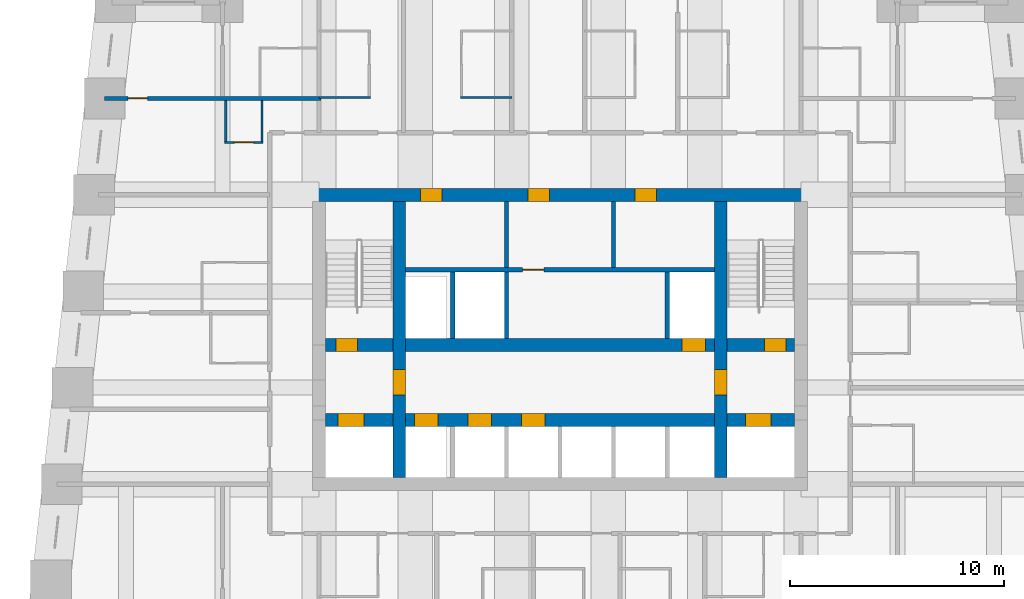
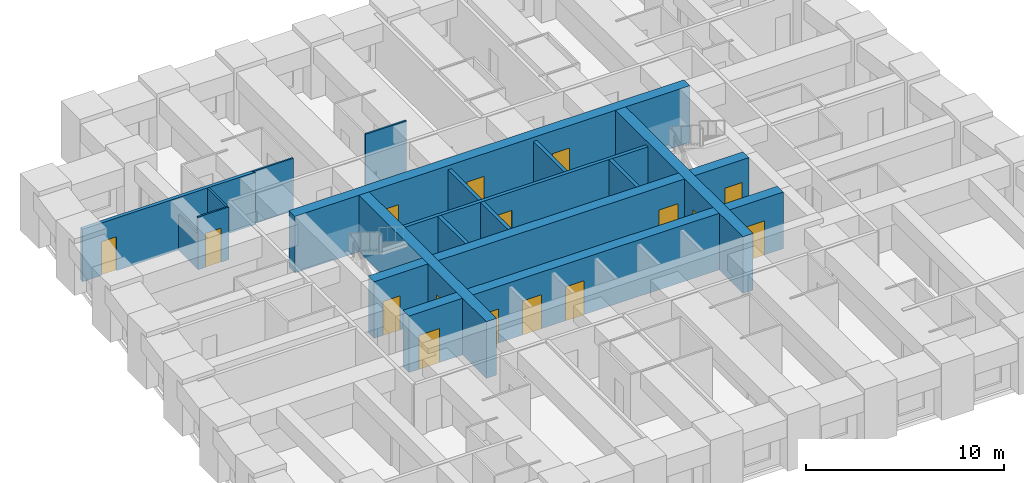
# One storey, part 4 of 8: 17 walls, 16 doors, 16 openings.
"""IFC4 building model written with IfcOpenShell, lengths in metres."""

from ifc_helpers import new_model, si_unit, direction, frame, frame_2d, origin, place, context, subcontext, project, spatial, rectangle, extrude, material, layer, layer_set, type_object, element, fill, save


model = new_model("IFC4")

# Units and contexts
model_context = context("Model", 3, precision=1e-05, world=origin(), true_north=direction((0.0, 1.0)))
body_context = subcontext(model_context, "Body", "Model", "MODEL_VIEW")
ifc_project = project(units=[si_unit("LENGTHUNIT", "METRE"), si_unit("AREAUNIT", "SQUARE_METRE"), si_unit("VOLUMEUNIT", "CUBIC_METRE"), si_unit("PLANEANGLEUNIT", "RADIAN"), si_unit("MASSUNIT", "GRAM", prefix="KILO")], contexts=[model_context])

# Site, building, storey
site_placement = place(None, origin())
site = spatial("IfcSite", under=ifc_project, at=site_placement, CompositionType="ELEMENT")
building_placement = place(site_placement, origin())
building = spatial("IfcBuilding", under=site, at=building_placement, Name="Kilele Tower Hotel", CompositionType="ELEMENT")
storey_placement = place(building_placement, frame((0.0, 0.0, 82.199951171875)))
storey = spatial("IfcBuildingStorey", under=building, at=storey_placement, Name="L20", CompositionType="ELEMENT", Elevation=82.199951171875)

# Walls
ifc_material_1 = material(Name="Moisture-resistant board")
ifc_layer_1 = layer(ifc_material_1, 0.10009765625)
ifc_layer_set_1 = layer_set([ifc_layer_1], Name="Moisture-resistant board")
wall_type_1 = type_object("IfcWallType", Name="Bathroom partition 100", PredefinedType="PLUMBINGWALL", material=ifc_layer_set_1)
for number, where, z_axis, x_axis, name in (
    (1, (13.5, 31.550048828125, 0.0), (0.0, 0.0, 1.0), (1.0, 0.0, 0.0), "Bathroom partition 100 L20"),
    (2, (20.10009765625, 31.550048828125, 0.0), (0.0, 0.0, 1.0), (1.0, 0.0, 0.0), "Bathroom partition 100 L20"),
):
    element("IfcWall", number, at=place(storey_placement, frame(where, z_axis=z_axis, x_axis=x_axis)), inside=storey, type_object=wall_type_1, Name=name, PredefinedType="PLUMBINGWALL", context=body_context, shape_type="SweptSolid", body=[
        extrude(rectangle(XDim=2.39990234375, YDim=0.10009765625, at=frame_2d((1.199951171875, 0.0))), origin(), (0.0, 0.0, 1.0), 3.25),
    ])
wall_1_placement = place(storey_placement, frame((9.14990234375, 31.39990234375, 0.0), z_axis=(0.0, 0.0, 1.0), x_axis=(0.0, -1.0, 0.0)))
element("IfcWall", 3, at=wall_1_placement, inside=storey, type_object=wall_type_1, Name="Bathroom partition 100 L20", PredefinedType="PLUMBINGWALL", context=body_context, shape_type="SweptSolid", body=[
    extrude(rectangle(XDim=2.0, YDim=0.10009765625, at=frame_2d((1.0, 0.0))), origin(), (0.0, 0.0, 1.0), 2.199951171875),
])
wall_2_placement = place(storey_placement, frame((10.85009765625, 31.39990234375, 0.0), z_axis=(0.0, 0.0, 1.0), x_axis=(0.0, -1.0, 0.0)))
element("IfcWall", 4, at=wall_2_placement, inside=storey, type_object=wall_type_1, Name="Bathroom partition 100 L20", PredefinedType="PLUMBINGWALL", context=body_context, shape_type="SweptSolid", body=[
    extrude(rectangle(XDim=2.0, YDim=0.10009765625, at=frame_2d((1.0, 0.0))), origin(), (0.0, 0.0, 1.0), 3.25),
])

# Wall, opening, door
wall_3_placement = place(storey_placement, frame((10.89990234375, 29.449951171875, 0.0), z_axis=(0.0, 0.0, 1.0), x_axis=(-1.0, 0.0, 0.0)))
wall_3 = element("IfcWall", 5, at=wall_3_placement, inside=storey, type_object=wall_type_1, Name="Bathroom partition 100 L20", PredefinedType="PLUMBINGWALL", context=body_context, shape_type="SweptSolid", body=[
    extrude(rectangle(XDim=1.7998046875, YDim=0.10009765625, at=frame_2d((0.89990234375, 0.0))), origin(), (0.0, 0.0, 1.0), 3.25),
])
opening_1_placement = place(wall_3_placement, frame((0.449951171875, 0.0, 0.0)))
opening_1 = element("IfcOpeningElement", 6, at=opening_1_placement, cuts=wall_3, Name="Opening D2A", PredefinedType="OPENING", context=body_context, shape_type="SweptSolid", body=[
    extrude(rectangle(XDim=0.89990234375, YDim=2.10009765625, at=frame_2d((0.449951171875, 1.050048828125))), frame((0.0, 0.06005859375, 0.0), z_axis=(0.0, -1.0, 0.0), x_axis=(1.0, 0.0, 0.0)), (0.0, 0.0, 1.0), 0.1201171875),
])
ifc_material_2 = material(Name="Timber door leaf in hardwood frame", Category="wood")
door_type_1 = type_object("IfcDoorType", Name="Bathroom door 900", OperationType="SINGLE_SWING_LEFT", PredefinedType="DOOR", material=ifc_material_2)
door_1_placement = place(opening_1_placement, origin())
door_1 = element("IfcDoor", 7, at=door_1_placement, inside=storey, type_object=door_type_1, Name="Bathroom door 2026P", OperationType="SINGLE_SWING_LEFT", OverallHeight=2.10009765625, OverallWidth=0.89990234375, PredefinedType="DOOR", context=body_context, shape_type="SweptSolid", body=[
    extrude(rectangle(XDim=0.89990234375, YDim=2.10009765625, at=frame_2d((0.449951171875, 1.050048828125))), frame((0.0, 0.02490234375, 0.0), z_axis=(0.0, -1.0, 0.0), x_axis=(1.0, 0.0, 0.0)), (0.0, 0.0, 1.0), 0.050048828125),
])
fill(opening_1, door_1)

# Wall, openings, doors
ifc_material_3 = material(Name="Concrete C60/75", Category="concrete")
ifc_layer_2 = layer(ifc_material_3, 0.60009765625)
ifc_layer_set_2 = layer_set([ifc_layer_2], Name="Concrete C60/75")
wall_type_2 = type_object("IfcWallType", Name="Core wall 600 C60/75", PredefinedType="SHEAR", material=ifc_layer_set_2)
wall_4_placement = place(storey_placement, frame((36.300048828125, 27.0, 0.0), z_axis=(0.0, 0.0, 1.0), x_axis=(-1.0, 0.0, 0.0)))
wall_4 = element("IfcWall", 8, at=wall_4_placement, inside=storey, type_object=wall_type_2, Name="Core wall N L20", PredefinedType="SHEAR", context=body_context, shape_type="SweptSolid", body=[
    extrude(rectangle(XDim=23.10009765625, YDim=0.60009765625, at=frame_2d((11.550048828125, 0.0))), origin(), (0.0, 0.0, 1.0), 3.5),
])
opening_2_placement = place(wall_4_placement, frame((17.050048828125, 0.0, 0.0)))
opening_2 = element("IfcOpeningElement", 9, at=opening_2_placement, cuts=wall_4, Name="Opening D6", PredefinedType="OPENING", context=body_context, shape_type="SweptSolid", body=[
    extrude(rectangle(XDim=1.0, YDim=2.10009765625, at=frame_2d((0.5, 1.050048828125))), frame((0.0, 0.31005859375, 0.0), z_axis=(0.0, -1.0, 0.0), x_axis=(1.0, 0.0, 0.0)), (0.0, 0.0, 1.0), 0.6201171875),
])
opening_3_placement = place(wall_4_placement, frame((12.050048828125, 0.0, 0.0)))
opening_3 = element("IfcOpeningElement", 10, at=opening_3_placement, cuts=wall_4, Name="Opening D6", PredefinedType="OPENING", context=body_context, shape_type="SweptSolid", body=[
    extrude(rectangle(XDim=1.0, YDim=2.10009765625, at=frame_2d((0.5, 1.050048828125))), frame((0.0, 0.31005859375, 0.0), z_axis=(0.0, -1.0, 0.0), x_axis=(1.0, 0.0, 0.0)), (0.0, 0.0, 1.0), 0.6201171875),
])
opening_4_placement = place(wall_4_placement, frame((7.050048828125, 0.0, 0.0)))
opening_4 = element("IfcOpeningElement", 11, at=opening_4_placement, cuts=wall_4, Name="Opening D6", PredefinedType="OPENING", context=body_context, shape_type="SweptSolid", body=[
    extrude(rectangle(XDim=1.0, YDim=2.10009765625, at=frame_2d((0.5, 1.050048828125))), frame((0.0, 0.31005859375, 0.0), z_axis=(0.0, -1.0, 0.0), x_axis=(1.0, 0.0, 0.0)), (0.0, 0.0, 1.0), 0.6201171875),
])
ifc_material_4 = material(Name="Timber door leaf in hardwood frame", Category="wood")
door_type_2 = type_object("IfcDoorType", Name="Riser door 1000", OperationType="SINGLE_SWING_LEFT", PredefinedType="DOOR", material=ifc_material_4)
door_2_placement = place(opening_2_placement, origin())
door_2 = element("IfcDoor", 12, at=door_2_placement, inside=storey, type_object=door_type_2, Name="Service riser door L20", OperationType="SINGLE_SWING_RIGHT", OverallHeight=2.10009765625, OverallWidth=1.0, PredefinedType="DOOR", context=body_context, shape_type="SweptSolid", body=[
    extrude(rectangle(XDim=1.0, YDim=2.10009765625, at=frame_2d((0.5, 1.050048828125))), frame((0.0, 0.2998046875, 0.0), z_axis=(0.0, -1.0, 0.0), x_axis=(1.0, 0.0, 0.0)), (0.0, 0.0, 1.0), 0.599609375),
])
fill(opening_2, door_2)
door_3_placement = place(opening_3_placement, origin())
door_3 = element("IfcDoor", 13, at=door_3_placement, inside=storey, type_object=door_type_2, Name="Linen store door L20", OperationType="SINGLE_SWING_RIGHT", OverallHeight=2.10009765625, OverallWidth=1.0, PredefinedType="DOOR", context=body_context, shape_type="SweptSolid", body=[
    extrude(rectangle(XDim=1.0, YDim=2.10009765625, at=frame_2d((0.5, 1.050048828125))), frame((0.0, 0.2998046875, 0.0), z_axis=(0.0, -1.0, 0.0), x_axis=(1.0, 0.0, 0.0)), (0.0, 0.0, 1.0), 0.599609375),
])
fill(opening_3, door_3)
door_4_placement = place(opening_4_placement, origin())
door_4 = element("IfcDoor", 14, at=door_4_placement, inside=storey, type_object=door_type_2, Name="Electrical riser door L20", OperationType="SINGLE_SWING_RIGHT", OverallHeight=2.10009765625, OverallWidth=1.0, PredefinedType="DOOR", context=body_context, shape_type="SweptSolid", body=[
    extrude(rectangle(XDim=1.0, YDim=2.10009765625, at=frame_2d((0.5, 1.050048828125))), frame((0.0, 0.2998046875, 0.0), z_axis=(0.0, -1.0, 0.0), x_axis=(1.0, 0.0, 0.0)), (0.0, 0.0, 1.0), 0.599609375),
])
fill(opening_4, door_4)

# Wall, opening, door
wall_5_placement = place(storey_placement, frame((17.25, 13.800048828125, 0.0), z_axis=(0.0, 0.0, 1.0), x_axis=(0.0, 1.0, 0.0)))
wall_5 = element("IfcWall", 15, at=wall_5_placement, inside=storey, type_object=wall_type_2, Name="Core wall IW L20", PredefinedType="SHEAR", context=body_context, shape_type="SweptSolid", body=[
    extrude(rectangle(XDim=12.89990234375, YDim=0.60009765625, at=frame_2d((6.449951171875, 0.0))), origin(), (0.0, 0.0, 1.0), 3.5),
])
opening_5_placement = place(wall_5_placement, frame((3.85009765625, 0.0, 0.0)))
opening_5 = element("IfcOpeningElement", 16, at=opening_5_placement, cuts=wall_5, Name="Opening D4", PredefinedType="OPENING", context=body_context, shape_type="SweptSolid", body=[
    extrude(rectangle(XDim=1.199951171875, YDim=2.10009765625, at=frame_2d((0.60009765625, 1.050048828125))), frame((0.0, 0.31005859375, 0.0), z_axis=(0.0, -1.0, 0.0), x_axis=(1.0, 0.0, 0.0)), (0.0, 0.0, 1.0), 0.6201171875),
])
ifc_material_5 = material(Name="Timber door leaf in hardwood frame", Category="wood")
door_type_3 = type_object("IfcDoorType", Name="Firefighting lobby door 1200", OperationType="SINGLE_SWING_LEFT", PredefinedType="DOOR", material=ifc_material_5)
door_5_placement = place(opening_5_placement, origin())
door_5 = element("IfcDoor", 17, at=door_5_placement, inside=storey, type_object=door_type_3, Name="Lobby door L20", OperationType="SINGLE_SWING_LEFT", OverallHeight=2.10009765625, OverallWidth=1.199951171875, PredefinedType="DOOR", context=body_context, shape_type="SweptSolid", body=[
    extrude(rectangle(XDim=1.199951171875, YDim=2.10009765625, at=frame_2d((0.60009765625, 1.050048828125))), frame((0.0, 0.2998046875, 0.0), z_axis=(0.0, -1.0, 0.0), x_axis=(1.0, 0.0, 0.0)), (0.0, 0.0, 1.0), 0.599609375),
])
fill(opening_5, door_5)

wall_6_placement = place(storey_placement, frame((32.25, 13.800048828125, 0.0), z_axis=(0.0, 0.0, 1.0), x_axis=(0.0, 1.0, 0.0)))
wall_6 = element("IfcWall", 18, at=wall_6_placement, inside=storey, type_object=wall_type_2, Name="Core wall IE L20", PredefinedType="SHEAR", context=body_context, shape_type="SweptSolid", body=[
    extrude(rectangle(XDim=12.89990234375, YDim=0.60009765625, at=frame_2d((6.449951171875, 0.0))), origin(), (0.0, 0.0, 1.0), 3.5),
])
opening_6_placement = place(wall_6_placement, frame((5.050048828125, 0.0, 0.0), z_axis=(0.0, 0.0, 1.0), x_axis=(-1.0, 0.0, 0.0)))
opening_6 = element("IfcOpeningElement", 19, at=opening_6_placement, cuts=wall_6, Name="Opening D4", PredefinedType="OPENING", context=body_context, shape_type="SweptSolid", body=[
    extrude(rectangle(XDim=1.199951171875, YDim=2.10009765625, at=frame_2d((0.60009765625, 1.050048828125))), frame((0.0, 0.31005859375, 0.0), z_axis=(0.0, -1.0, 0.0), x_axis=(1.0, 0.0, 0.0)), (0.0, 0.0, 1.0), 0.6201171875),
])
door_6_placement = place(opening_6_placement, origin())
door_6 = element("IfcDoor", 20, at=door_6_placement, inside=storey, type_object=door_type_3, Name="Lobby door L20", OperationType="SINGLE_SWING_RIGHT", OverallHeight=2.10009765625, OverallWidth=1.199951171875, PredefinedType="DOOR", context=body_context, shape_type="SweptSolid", body=[
    extrude(rectangle(XDim=1.199951171875, YDim=2.10009765625, at=frame_2d((0.60009765625, 1.050048828125))), frame((0.0, 0.2998046875, 0.0), z_axis=(0.0, -1.0, 0.0), x_axis=(1.0, 0.0, 0.0)), (0.0, 0.0, 1.0), 0.599609375),
])
fill(opening_6, door_6)

# Wall, openings, doors
wall_7_placement = place(storey_placement, frame((13.800048828125, 16.5, 0.0), z_axis=(0.0, 0.0, 1.0), x_axis=(1.0, 0.0, 0.0)))
wall_7 = element("IfcWall", 21, at=wall_7_placement, inside=storey, type_object=wall_type_2, Name="Core wall LS L20", PredefinedType="SHEAR", context=body_context, shape_type="SweptSolid", body=[
    extrude(rectangle(XDim=21.89990234375, YDim=0.60009765625, at=frame_2d((10.949951171875, 0.0))), origin(), (0.0, 0.0, 1.0), 3.5),
])
opening_7_placement = place(wall_7_placement, frame((4.14990234375, 0.0, 0.0)))
opening_7 = element("IfcOpeningElement", 22, at=opening_7_placement, cuts=wall_7, Name="Opening LD1", PredefinedType="OPENING", context=body_context, shape_type="SweptSolid", body=[
    extrude(rectangle(XDim=1.10009765625, YDim=2.10009765625, at=frame_2d((0.550048828125, 1.050048828125))), frame((0.0, 0.31005859375, 0.0), z_axis=(0.0, -1.0, 0.0), x_axis=(1.0, 0.0, 0.0)), (0.0, 0.0, 1.0), 0.6201171875),
])
opening_8_placement = place(wall_7_placement, frame((6.64990234375, 0.0, 0.0)))
opening_8 = element("IfcOpeningElement", 23, at=opening_8_placement, cuts=wall_7, Name="Opening LD1", PredefinedType="OPENING", context=body_context, shape_type="SweptSolid", body=[
    extrude(rectangle(XDim=1.10009765625, YDim=2.10009765625, at=frame_2d((0.550048828125, 1.050048828125))), frame((0.0, 0.31005859375, 0.0), z_axis=(0.0, -1.0, 0.0), x_axis=(1.0, 0.0, 0.0)), (0.0, 0.0, 1.0), 0.6201171875),
])
opening_9_placement = place(wall_7_placement, frame((9.14990234375, 0.0, 0.0)))
opening_9 = element("IfcOpeningElement", 24, at=opening_9_placement, cuts=wall_7, Name="Opening LD1", PredefinedType="OPENING", context=body_context, shape_type="SweptSolid", body=[
    extrude(rectangle(XDim=1.10009765625, YDim=2.10009765625, at=frame_2d((0.550048828125, 1.050048828125))), frame((0.0, 0.31005859375, 0.0), z_axis=(0.0, -1.0, 0.0), x_axis=(1.0, 0.0, 0.0)), (0.0, 0.0, 1.0), 0.6201171875),
])
opening_10_placement = place(wall_7_placement, frame((0.60009765625, 0.0, 0.0)))
opening_10 = element("IfcOpeningElement", 25, at=opening_10_placement, cuts=wall_7, Name="Opening LD2", PredefinedType="OPENING", context=body_context, shape_type="SweptSolid", body=[
    extrude(rectangle(XDim=1.199951171875, YDim=2.10009765625, at=frame_2d((0.60009765625, 1.050048828125))), frame((0.0, 0.31005859375, 0.0), z_axis=(0.0, -1.0, 0.0), x_axis=(1.0, 0.0, 0.0)), (0.0, 0.0, 1.0), 0.6201171875),
])
opening_11_placement = place(wall_7_placement, frame((19.60009765625, 0.0, 0.0)))
opening_11 = element("IfcOpeningElement", 26, at=opening_11_placement, cuts=wall_7, Name="Opening LD2", PredefinedType="OPENING", context=body_context, shape_type="SweptSolid", body=[
    extrude(rectangle(XDim=1.199951171875, YDim=2.10009765625, at=frame_2d((0.60009765625, 1.050048828125))), frame((0.0, 0.31005859375, 0.0), z_axis=(0.0, -1.0, 0.0), x_axis=(1.0, 0.0, 0.0)), (0.0, 0.0, 1.0), 0.6201171875),
])
ifc_material_6 = material(Name="Steel lift landing door", Category="steel")
door_type_4 = type_object("IfcDoorType", Name="Firefighting lift landing door 1200", OperationType="SLIDING_TO_LEFT", PredefinedType="DOOR", material=ifc_material_6)
door_7_placement = place(opening_10_placement, origin())
door_7 = element("IfcDoor", 27, at=door_7_placement, inside=storey, type_object=door_type_4, Name="Landing door FFW L20", OperationType="SLIDING_TO_LEFT", OverallHeight=2.10009765625, OverallWidth=1.199951171875, PredefinedType="DOOR", context=body_context, shape_type="SweptSolid", body=[
    extrude(rectangle(XDim=1.199951171875, YDim=2.10009765625, at=frame_2d((0.60009765625, 1.050048828125))), frame((0.0, 0.2998046875, 0.0), z_axis=(0.0, -1.0, 0.0), x_axis=(1.0, 0.0, 0.0)), (0.0, 0.0, 1.0), 0.599609375),
])
fill(opening_10, door_7)
door_8_placement = place(opening_11_placement, origin())
door_8 = element("IfcDoor", 28, at=door_8_placement, inside=storey, type_object=door_type_4, Name="Landing door FFE L20", OperationType="SLIDING_TO_LEFT", OverallHeight=2.10009765625, OverallWidth=1.199951171875, PredefinedType="DOOR", context=body_context, shape_type="SweptSolid", body=[
    extrude(rectangle(XDim=1.199951171875, YDim=2.10009765625, at=frame_2d((0.60009765625, 1.050048828125))), frame((0.0, 0.2998046875, 0.0), z_axis=(0.0, -1.0, 0.0), x_axis=(1.0, 0.0, 0.0)), (0.0, 0.0, 1.0), 0.599609375),
])
fill(opening_11, door_8)
ifc_material_7 = material(Name="Steel lift landing door", Category="steel")
door_type_5 = type_object("IfcDoorType", Name="Lift landing door 1100", OperationType="SLIDING_TO_LEFT", PredefinedType="DOOR", material=ifc_material_7)
door_9_placement = place(opening_7_placement, origin())
door_9 = element("IfcDoor", 29, at=door_9_placement, inside=storey, type_object=door_type_5, Name="Landing door L1 L20", OperationType="SLIDING_TO_LEFT", OverallHeight=2.10009765625, OverallWidth=1.10009765625, PredefinedType="DOOR", context=body_context, shape_type="SweptSolid", body=[
    extrude(rectangle(XDim=1.10009765625, YDim=2.10009765625, at=frame_2d((0.550048828125, 1.050048828125))), frame((0.0, 0.2998046875, 0.0), z_axis=(0.0, -1.0, 0.0), x_axis=(1.0, 0.0, 0.0)), (0.0, 0.0, 1.0), 0.599609375),
])
fill(opening_7, door_9)
door_10_placement = place(opening_8_placement, origin())
door_10 = element("IfcDoor", 30, at=door_10_placement, inside=storey, type_object=door_type_5, Name="Landing door L2 L20", OperationType="SLIDING_TO_LEFT", OverallHeight=2.10009765625, OverallWidth=1.10009765625, PredefinedType="DOOR", context=body_context, shape_type="SweptSolid", body=[
    extrude(rectangle(XDim=1.10009765625, YDim=2.10009765625, at=frame_2d((0.550048828125, 1.050048828125))), frame((0.0, 0.2998046875, 0.0), z_axis=(0.0, -1.0, 0.0), x_axis=(1.0, 0.0, 0.0)), (0.0, 0.0, 1.0), 0.599609375),
])
fill(opening_8, door_10)
door_11_placement = place(opening_9_placement, origin())
door_11 = element("IfcDoor", 31, at=door_11_placement, inside=storey, type_object=door_type_5, Name="Landing door L3 L20", OperationType="SLIDING_TO_LEFT", OverallHeight=2.10009765625, OverallWidth=1.10009765625, PredefinedType="DOOR", context=body_context, shape_type="SweptSolid", body=[
    extrude(rectangle(XDim=1.10009765625, YDim=2.10009765625, at=frame_2d((0.550048828125, 1.050048828125))), frame((0.0, 0.2998046875, 0.0), z_axis=(0.0, -1.0, 0.0), x_axis=(1.0, 0.0, 0.0)), (0.0, 0.0, 1.0), 0.599609375),
])
fill(opening_9, door_11)

wall_8_placement = place(storey_placement, frame((13.800048828125, 20.0, 0.0), z_axis=(0.0, 0.0, 1.0), x_axis=(1.0, 0.0, 0.0)))
wall_8 = element("IfcWall", 32, at=wall_8_placement, inside=storey, type_object=wall_type_2, Name="Core wall LN L20", PredefinedType="SHEAR", context=body_context, shape_type="SweptSolid", body=[
    extrude(rectangle(XDim=21.89990234375, YDim=0.60009765625, at=frame_2d((10.949951171875, 0.0))), origin(), (0.0, 0.0, 1.0), 3.5),
])
opening_12_placement = place(wall_8_placement, frame((0.5, 0.0, 0.0)))
opening_12 = element("IfcOpeningElement", 33, at=opening_12_placement, cuts=wall_8, Name="Opening D5", PredefinedType="OPENING", context=body_context, shape_type="SweptSolid", body=[
    extrude(rectangle(XDim=1.0, YDim=2.10009765625, at=frame_2d((0.5, 1.050048828125))), frame((0.0, 0.31005859375, 0.0), z_axis=(0.0, -1.0, 0.0), x_axis=(1.0, 0.0, 0.0)), (0.0, 0.0, 1.0), 0.6201171875),
])
opening_13_placement = place(wall_8_placement, frame((20.5, 0.0, 0.0)))
opening_13 = element("IfcOpeningElement", 34, at=opening_13_placement, cuts=wall_8, Name="Opening D5", PredefinedType="OPENING", context=body_context, shape_type="SweptSolid", body=[
    extrude(rectangle(XDim=1.0, YDim=2.10009765625, at=frame_2d((0.5, 1.050048828125))), frame((0.0, 0.31005859375, 0.0), z_axis=(0.0, -1.0, 0.0), x_axis=(1.0, 0.0, 0.0)), (0.0, 0.0, 1.0), 0.6201171875),
])
opening_14_placement = place(wall_8_placement, frame((16.64990234375, 0.0, 0.0)))
opening_14 = element("IfcOpeningElement", 35, at=opening_14_placement, cuts=wall_8, Name="Opening LD1", PredefinedType="OPENING", context=body_context, shape_type="SweptSolid", body=[
    extrude(rectangle(XDim=1.10009765625, YDim=2.10009765625, at=frame_2d((0.550048828125, 1.050048828125))), frame((0.0, 0.31005859375, 0.0), z_axis=(0.0, -1.0, 0.0), x_axis=(1.0, 0.0, 0.0)), (0.0, 0.0, 1.0), 0.6201171875),
])
door_12_placement = place(opening_14_placement, origin())
door_12 = element("IfcDoor", 36, at=door_12_placement, inside=storey, type_object=door_type_5, Name="Landing door G1 L20", OperationType="SLIDING_TO_LEFT", OverallHeight=2.10009765625, OverallWidth=1.10009765625, PredefinedType="DOOR", context=body_context, shape_type="SweptSolid", body=[
    extrude(rectangle(XDim=1.10009765625, YDim=2.10009765625, at=frame_2d((0.550048828125, 1.050048828125))), frame((0.0, 0.2998046875, 0.0), z_axis=(0.0, -1.0, 0.0), x_axis=(1.0, 0.0, 0.0)), (0.0, 0.0, 1.0), 0.599609375),
])
fill(opening_14, door_12)
ifc_material_8 = material(Name="Timber door leaf in hardwood frame", Category="wood")
door_type_6 = type_object("IfcDoorType", Name="Stair door 1000", OperationType="SINGLE_SWING_LEFT", PredefinedType="DOOR", material=ifc_material_8)
door_13_placement = place(opening_12_placement, origin())
door_13 = element("IfcDoor", 37, at=door_13_placement, inside=storey, type_object=door_type_6, Name="Stair 1 door L20", OperationType="SINGLE_SWING_LEFT", OverallHeight=2.10009765625, OverallWidth=1.0, PredefinedType="DOOR", context=body_context, shape_type="SweptSolid", body=[
    extrude(rectangle(XDim=1.0, YDim=2.10009765625, at=frame_2d((0.5, 1.050048828125))), frame((0.0, 0.2998046875, 0.0), z_axis=(0.0, -1.0, 0.0), x_axis=(1.0, 0.0, 0.0)), (0.0, 0.0, 1.0), 0.599609375),
])
fill(opening_12, door_13)
door_14_placement = place(opening_13_placement, origin())
door_14 = element("IfcDoor", 38, at=door_14_placement, inside=storey, type_object=door_type_6, Name="Stair 2 door L20", OperationType="SINGLE_SWING_RIGHT", OverallHeight=2.10009765625, OverallWidth=1.0, PredefinedType="DOOR", context=body_context, shape_type="SweptSolid", body=[
    extrude(rectangle(XDim=1.0, YDim=2.10009765625, at=frame_2d((0.5, 1.050048828125))), frame((0.0, 0.2998046875, 0.0), z_axis=(0.0, -1.0, 0.0), x_axis=(1.0, 0.0, 0.0)), (0.0, 0.0, 1.0), 0.599609375),
])
fill(opening_13, door_14)

# Wall, opening, door
ifc_material_9 = material(Name="Blockwork, plastered both sides", Category="masonry")
ifc_layer_3 = layer(ifc_material_9, 0.199951171875)
ifc_layer_set_3 = layer_set([ifc_layer_3], Name="Blockwork, plastered both sides")
wall_type_3 = type_object("IfcWallType", Name="Party wall 200", PredefinedType="PARTITIONING", material=ifc_layer_set_3)
wall_9_placement = place(storey_placement, frame((13.60009765625, 31.5, 0.0), z_axis=(0.0, 0.0, 1.0), x_axis=(-1.0, 0.0, 0.0)))
wall_9 = element("IfcWall", 39, at=wall_9_placement, inside=storey, type_object=wall_type_3, Name="Party wall 200 L20", PredefinedType="PARTITIONING", context=body_context, shape_type="SweptSolid", body=[
    extrude(rectangle(XDim=10.09912109375, YDim=0.199951171875, at=frame_2d((5.049560546875, 0.0))), origin(), (0.0, 0.0, 1.0), 3.25),
])
opening_15_placement = place(wall_9_placement, frame((8.9990234375, 0.0, 0.0), z_axis=(0.0, 0.0, 1.0), x_axis=(-1.0, 0.0, 0.0)))
opening_15 = element("IfcOpeningElement", 40, at=opening_15_placement, cuts=wall_9, Name="Opening D3", PredefinedType="OPENING", context=body_context, shape_type="SweptSolid", body=[
    extrude(rectangle(XDim=0.89990234375, YDim=2.10009765625, at=frame_2d((0.449951171875, 1.050048828125))), frame((0.0, 0.10986328125, 0.0), z_axis=(0.0, -1.0, 0.0), x_axis=(1.0, 0.0, 0.0)), (0.0, 0.0, 1.0), 0.219970703125),
])
ifc_material_10 = material(Name="Timber door leaf in hardwood frame", Category="wood")
door_type_7 = type_object("IfcDoorType", Name="Suite internal door 900", OperationType="SINGLE_SWING_LEFT", PredefinedType="DOOR", material=ifc_material_10)
door_15_placement = place(opening_15_placement, origin())
door_15 = element("IfcDoor", 41, at=door_15_placement, inside=storey, type_object=door_type_7, Name="Suite door 2027", OperationType="SINGLE_SWING_LEFT", OverallHeight=2.10009765625, OverallWidth=0.89990234375, PredefinedType="DOOR", context=body_context, shape_type="SweptSolid", body=[
    extrude(rectangle(XDim=0.89990234375, YDim=2.10009765625, at=frame_2d((0.449951171875, 1.050048828125))), frame((0.0, 0.02490234375, 0.0), z_axis=(0.0, -1.0, 0.0), x_axis=(1.0, 0.0, 0.0)), (0.0, 0.0, 1.0), 0.050048828125),
])
fill(opening_15, door_15)

# Walls
ifc_material_11 = material(Name="Blockwork, fire-rated", Category="masonry")
ifc_layer_4 = layer(ifc_material_11, 0.199951171875)
ifc_layer_set_4 = layer_set([ifc_layer_4], Name="Blockwork, fire-rated")
wall_type_4 = type_object("IfcWallType", Name="Shaft wall 200", PredefinedType="PARTITIONING", material=ifc_layer_set_4)
for number, where, z_axis, x_axis, name in (
    (42, (19.75, 20.300048828125, 0.0), (0.0, 0.0, 1.0), (0.0, 1.0, 0.0), "Shaft wall 200 L20"),
    (43, (22.25, 20.300048828125, 0.0), (0.0, 0.0, 1.0), (0.0, 1.0, 0.0), "Shaft wall 200 L20"),
    (44, (29.75, 20.300048828125, 0.0), (0.0, 0.0, 1.0), (0.0, 1.0, 0.0), "Shaft wall 200 L20"),
):
    element("IfcWall", number, at=place(storey_placement, frame(where, z_axis=z_axis, x_axis=x_axis)), inside=storey, type_object=wall_type_4, Name=name, PredefinedType="PARTITIONING", context=body_context, shape_type="SweptSolid", body=[
        extrude(rectangle(XDim=3.099853515625, YDim=0.199951171875, at=frame_2d((1.5498046875, 0.0))), origin(), (0.0, 0.0, 1.0), 3.25),
    ])

# Wall, opening, door
wall_10_placement = place(storey_placement, frame((17.550048828125, 23.5, 0.0), z_axis=(0.0, 0.0, 1.0), x_axis=(1.0, 0.0, 0.0)))
wall_10 = element("IfcWall", 45, at=wall_10_placement, inside=storey, type_object=wall_type_4, Name="Shaft wall 200 L20", PredefinedType="PARTITIONING", context=body_context, shape_type="SweptSolid", body=[
    extrude(rectangle(XDim=14.39990234375, YDim=0.199951171875, at=frame_2d((7.199951171875, 0.0))), origin(), (0.0, 0.0, 1.0), 3.25),
])
opening_16_placement = place(wall_10_placement, frame((5.449951171875, 0.0, 0.0)))
opening_16 = element("IfcOpeningElement", 46, at=opening_16_placement, cuts=wall_10, Name="Opening D11", PredefinedType="OPENING", context=body_context, shape_type="SweptSolid", body=[
    extrude(rectangle(XDim=1.0, YDim=2.10009765625, at=frame_2d((0.5, 1.050048828125))), frame((0.0, 0.10986328125, 0.0), z_axis=(0.0, -1.0, 0.0), x_axis=(1.0, 0.0, 0.0)), (0.0, 0.0, 1.0), 0.219970703125),
])
ifc_material_12 = material(Name="Timber door leaf in hardwood frame", Category="wood")
door_type_8 = type_object("IfcDoorType", Name="Core store door 1000", OperationType="SINGLE_SWING_LEFT", PredefinedType="DOOR", material=ifc_material_12)
door_16_placement = place(opening_16_placement, origin())
door_16 = element("IfcDoor", 47, at=door_16_placement, inside=storey, type_object=door_type_8, Name="Core room door H1", OperationType="SINGLE_SWING_LEFT", OverallHeight=2.10009765625, OverallWidth=1.0, PredefinedType="DOOR", context=body_context, shape_type="SweptSolid", body=[
    extrude(rectangle(XDim=1.0, YDim=2.10009765625, at=frame_2d((0.5, 1.050048828125))), frame((0.0, 0.02490234375, 0.0), z_axis=(0.0, -1.0, 0.0), x_axis=(1.0, 0.0, 0.0)), (0.0, 0.0, 1.0), 0.050048828125),
])
fill(opening_16, door_16)

# Walls
for number, where, z_axis, x_axis, name in (
    (48, (22.25, 23.60009765625, 0.0), (0.0, 0.0, 1.0), (0.0, 1.0, 0.0), "Shaft wall 200 L20"),
    (49, (27.25, 23.60009765625, 0.0), (0.0, 0.0, 1.0), (0.0, 1.0, 0.0), "Shaft wall 200 L20"),
):
    element("IfcWall", number, at=place(storey_placement, frame(where, z_axis=z_axis, x_axis=x_axis)), inside=storey, type_object=wall_type_4, Name=name, PredefinedType="PARTITIONING", context=body_context, shape_type="SweptSolid", body=[
        extrude(rectangle(XDim=3.099853515625, YDim=0.199951171875, at=frame_2d((1.5498046875, 0.0))), origin(), (0.0, 0.0, 1.0), 3.25),
    ])

save(model, "model.ifc")
